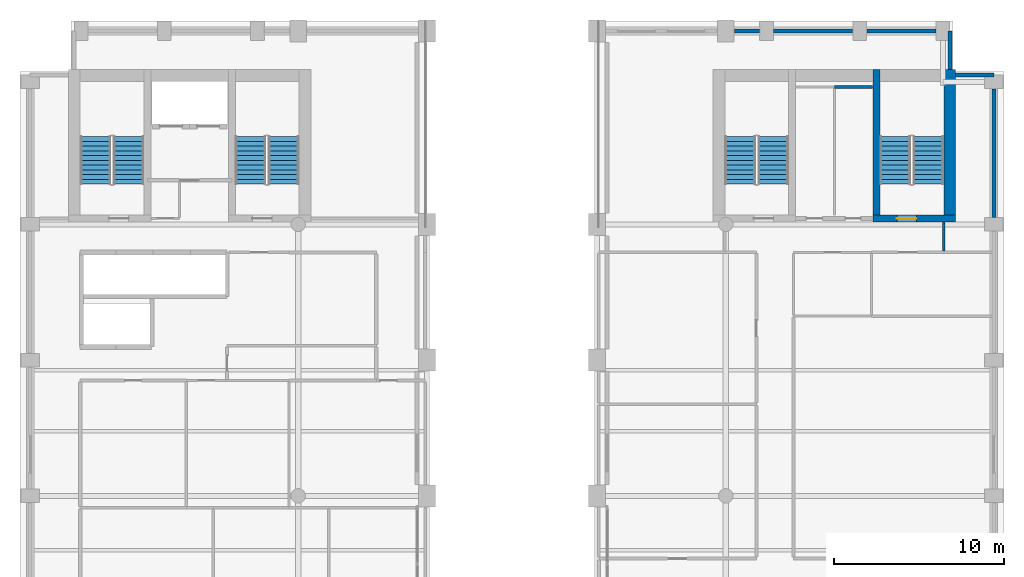
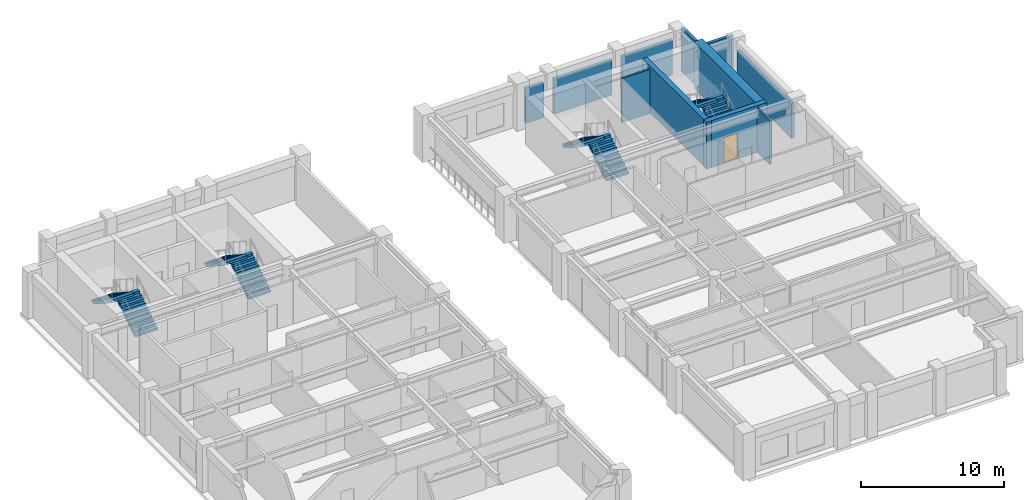
# One storey, part 8 of 10: 11 walls, 8 stair flights, 1 door, 1 opening, 4 elements without a shape of their own.
"""IFC4 building model written with IfcOpenShell, lengths in metres."""

from ifc_helpers import new_model, si_unit, direction, frame, frame_2d, origin, place, context, subcontext, project, spatial, polyline, rectangle, outline, extrude, material, layer, layer_set, type_object, element, fill, aggregate, save


model = new_model("IFC4")

# Units and contexts
model_context = context("Model", 3, precision=1e-05, world=origin(), true_north=direction((0.0, 1.0)))
body_context = subcontext(model_context, "Body", "Model", "MODEL_VIEW")
ifc_project = project(units=[si_unit("LENGTHUNIT", "METRE"), si_unit("AREAUNIT", "SQUARE_METRE"), si_unit("VOLUMEUNIT", "CUBIC_METRE"), si_unit("PLANEANGLEUNIT", "RADIAN"), si_unit("MASSUNIT", "GRAM", prefix="KILO")], contexts=[model_context])

# Site, building, storey
site_placement = place(None, origin())
site = spatial("IfcSite", under=ifc_project, at=site_placement, CompositionType="ELEMENT")
building_placement = place(site_placement, origin())
building = spatial("IfcBuilding", under=site, at=building_placement, Name="Sulina Concourse Tower", CompositionType="ELEMENT")
storey_placement = place(building_placement, frame((0.0, 0.0, 190.60009765625)))
storey = spatial("IfcBuildingStorey", under=building, at=storey_placement, Name="L46", CompositionType="ELEMENT", Elevation=190.60009765625)

# Walls
ifc_material_1 = material(Name="Precast concrete C50/60", Category="concrete")
ifc_layer_1 = layer(ifc_material_1, 0.239990234375)
ifc_layer_set_1 = layer_set([ifc_layer_1], Name="Precast concrete C50/60")
wall_type_1 = type_object("IfcWallType", Name="Crown Precast Masonry-Frame Facade Wall 240mm", PredefinedType="SOLIDWALL", material=ifc_layer_set_1)
wall_1_placement = place(storey_placement, frame((42.1201171875, 45.39990234375, 0.0), z_axis=(0.0, 0.0, 1.0), x_axis=(1.0, 0.0, 0.0)))
element("IfcWall", 1, at=wall_1_placement, inside=storey, type_object=wall_type_1, Name="L46 exterior precast wall N7", PredefinedType="SOLIDWALL", context=body_context, shape_type="SweptSolid", body=[
    extrude(rectangle(XDim=1.4599609375, YDim=0.239990234375, at=frame_2d((0.72998046875, 0.0))), origin(), (0.0, 0.0, 1.0), 3.0),
])
wall_2_placement = place(storey_placement, frame((44.419921875, 45.39990234375, 0.0), z_axis=(0.0, 0.0, 1.0), x_axis=(1.0, 0.0, 0.0)))
element("IfcWall", 2, at=wall_2_placement, inside=storey, type_object=wall_type_1, Name="L46 exterior precast wall N8", PredefinedType="SOLIDWALL", context=body_context, shape_type="SweptSolid", body=[
    extrude(rectangle(XDim=4.66015625, YDim=0.239990234375, at=frame_2d((2.330078125, 0.0))), origin(), (0.0, 0.0, 1.0), 3.0),
])
wall_3_placement = place(storey_placement, frame((49.919921875, 45.39990234375, 0.0), z_axis=(0.0, 0.0, 1.0), x_axis=(1.0, 0.0, 0.0)))
element("IfcWall", 3, at=wall_3_placement, inside=storey, type_object=wall_type_1, Name="L46 exterior precast wall N9", PredefinedType="SOLIDWALL", context=body_context, shape_type="SweptSolid", body=[
    extrude(rectangle(XDim=4.06005859375, YDim=0.239990234375, at=frame_2d((2.030029296875, 0.0))), origin(), (0.0, 0.0, 1.0), 3.0),
])
wall_4_placement = place(storey_placement, frame((57.39990234375, 41.97998046875, 0.0), z_axis=(0.0, 0.0, 1.0), x_axis=(0.0, -1.0, 0.0)))
element("IfcWall", 4, at=wall_4_placement, inside=storey, type_object=wall_type_1, Name="L46 exterior precast wall E5", PredefinedType="SOLIDWALL", context=body_context, shape_type="SweptSolid", body=[
    extrude(rectangle(XDim=7.56005859375, YDim=0.239990234375, at=frame_2d((3.780029296875, 0.0))), origin(), (0.0, 0.0, 1.0), 3.0),
])
wall_5_placement = place(storey_placement, frame((54.820068359375, 45.39990234375, 0.0), z_axis=(0.0, 0.0, 1.0), x_axis=(0.0, -1.0, 0.0)))
element("IfcWall", 5, at=wall_5_placement, inside=storey, type_object=wall_type_1, Name="L46 exterior precast wall CNE1", PredefinedType="SOLIDWALL", context=body_context, shape_type="SweptSolid", body=[
    extrude(rectangle(XDim=2.264892578125, YDim=0.239990234375, at=frame_2d((1.13232421875, 0.0))), origin(), (0.0, 0.0, 1.0), 3.75),
])
wall_6_placement = place(storey_placement, frame((55.155029296875, 42.820068359375, 0.0), z_axis=(0.0, 0.0, 1.0), x_axis=(1.0, 0.0, 0.0)))
element("IfcWall", 6, at=wall_6_placement, inside=storey, type_object=wall_type_1, Name="L46 exterior precast wall CNE2", PredefinedType="SOLIDWALL", context=body_context, shape_type="SweptSolid", body=[
    extrude(rectangle(XDim=2.244873046875, YDim=0.239990234375, at=frame_2d((1.12255859375, 0.0))), origin(), (0.0, 0.0, 1.0), 3.75),
])
ifc_material_2 = material(Name="Gypsum board on steel stud", Category="steel")
ifc_layer_2 = layer(ifc_material_2, 0.14990234375)
ifc_layer_set_2 = layer_set([ifc_layer_2], Name="Gypsum board on steel stud")
wall_type_2 = type_object("IfcWallType", Name="Inter-Tenancy Acoustic Partition 150mm", PredefinedType="PARTITIONING", material=ifc_layer_set_2)
wall_7_placement = place(storey_placement, frame((48.0, 42.10009765625, 0.0), z_axis=(0.0, 0.0, 1.0), x_axis=(1.0, 0.0, 0.0)))
element("IfcWall", 7, at=wall_7_placement, inside=storey, type_object=wall_type_2, Name="L46 interior partition 038", PredefinedType="PARTITIONING", context=body_context, shape_type="SweptSolid", body=[
    extrude(rectangle(XDim=2.25, YDim=0.14990234375, at=frame_2d((1.125, 0.0))), origin(), (0.0, 0.0, 1.0), 3.75),
])
wall_8_placement = place(storey_placement, frame((54.449951171875, 32.425048828125, 0.0), z_axis=(0.0, 0.0, 1.0), x_axis=(0.0, 1.0, 0.0)))
element("IfcWall", 8, at=wall_8_placement, inside=storey, type_object=wall_type_2, Name="L46 interior partition 072", PredefinedType="PARTITIONING", context=body_context, shape_type="SweptSolid", body=[
    extrude(rectangle(XDim=1.724853515625, YDim=0.14990234375, at=frame_2d((0.8623046875, 0.0))), origin(), (0.0, 0.0, 1.0), 3.75),
])

# Wall, opening, door
ifc_material_3 = material(Name="Concrete C60/75", Category="concrete")
ifc_layer_3 = layer(ifc_material_3, 0.39990234375)
ifc_layer_set_3 = layer_set([ifc_layer_3], Name="Concrete C60/75")
wall_type_3 = type_object("IfcWallType", Name="Protected Stair Core Shear Wall 400mm", PredefinedType="SHEAR", material=ifc_layer_set_3)
wall_9_placement = place(storey_placement, frame((50.2900390625, 34.35009765625, 0.0), z_axis=(0.0, 0.0, 1.0), x_axis=(1.0, 0.0, 0.0)))
wall_9 = element("IfcWall", 9, at=wall_9_placement, inside=storey, type_object=wall_type_3, Name="L46 east core shear wall CW-ES2", PredefinedType="SHEAR", context=body_context, shape_type="SweptSolid", body=[
    extrude(rectangle(XDim=4.85986328125, YDim=0.39990234375, at=frame_2d((2.429931640625, 0.0))), origin(), (0.0, 0.0, 1.0), 4.0),
])
opening_placement = place(wall_9_placement, frame((1.39990234375, 0.0, 0.0)))
opening = element("IfcOpeningElement", 10, at=opening_placement, cuts=wall_9, Name="Opening DR-60", PredefinedType="OPENING", context=body_context, shape_type="SweptSolid", body=[
    extrude(rectangle(XDim=1.14990234375, YDim=2.199951171875, at=frame_2d((0.574951171875, 1.10009765625))), frame((0.0, 0.2099609375, 0.0), z_axis=(0.0, -1.0, 0.0), x_axis=(1.0, 0.0, 0.0)), (0.0, 0.0, 1.0), 0.419921875),
])
ifc_material_4 = material(Name="Galvanised steel acoustic fire leaf", Category="steel")
ifc_layer_4 = layer(ifc_material_4, 0.054931640625)
ifc_layer_set_4 = layer_set([ifc_layer_4], Name="Galvanised steel acoustic fire leaf")
door_type = type_object("IfcDoorType", Name="Protected Exit Stair Fire Door 1150x2200", OperationType="NOTDEFINED", PredefinedType="DOOR", material=ifc_layer_set_4)
door_placement = place(opening_placement, origin())
door = element("IfcDoor", 11, at=door_placement, inside=storey, type_object=door_type, Name="L46 stair ST-4 south lobby fire door", OperationType="SINGLE_SWING_LEFT", OverallHeight=2.199951171875, OverallWidth=1.14990234375, PredefinedType="DOOR", context=body_context, shape_type="SweptSolid", body=[
    extrude(rectangle(XDim=1.14990234375, YDim=2.199951171875, at=frame_2d((0.574951171875, 1.10009765625))), frame((0.0, 0.02490234375, 0.0), z_axis=(0.0, -1.0, 0.0), x_axis=(1.0, 0.0, 0.0)), (0.0, 0.0, 1.0), 0.050048828125),
])
fill(opening, door)

# Walls
wall_10_placement = place(storey_placement, frame((50.489990234375, 34.14990234375, 0.0), z_axis=(0.0, 0.0, 1.0), x_axis=(0.0, 1.0, 0.0)))
element("IfcWall", 12, at=wall_10_placement, inside=storey, type_object=wall_type_3, Name="L46 east core shear wall SW-ST4", PredefinedType="SHEAR", context=body_context, shape_type="SweptSolid", body=[
    extrude(rectangle(XDim=8.97998046875, YDim=0.39990234375, at=frame_2d((4.489990234375, 0.0))), origin(), (0.0, 0.0, 1.0), 4.0),
])
ifc_material_5 = material(Name="Concrete C60/75", Category="concrete")
ifc_layer_5 = layer(ifc_material_5, 0.699951171875)
ifc_layer_set_5 = layer_set([ifc_layer_5], Name="Concrete C60/75")
wall_type_4 = type_object("IfcWallType", Name="Rear Core Shear Wall 700mm", PredefinedType="SHEAR", material=ifc_layer_set_5)
wall_11_placement = place(storey_placement, frame((54.800048828125, 34.14990234375, 0.0), z_axis=(0.0, 0.0, 1.0), x_axis=(0.0, 1.0, 0.0)))
element("IfcWall", 13, at=wall_11_placement, inside=storey, type_object=wall_type_4, Name="L46 east core shear wall CW-EE", PredefinedType="SHEAR", context=body_context, shape_type="SweptSolid", body=[
    extrude(rectangle(XDim=8.97998046875, YDim=0.699951171875, at=frame_2d((4.489990234375, 0.0))), origin(), (0.0, 0.0, 1.0), 4.0),
])

# Stair, stair flights
ifc_material_6 = material(Name="Concrete C50/60", Category="concrete")
stair_type_1 = type_object("IfcStairType", Name="Portal & Podium Core Exit Stair 1820mm", PredefinedType="HALF_TURN_STAIR", material=ifc_material_6)
stair_1_placement = place(storey_placement, origin())
stair_1 = element("IfcStair", 14, at=stair_1_placement, inside=storey, type_object=stair_type_1, Name="L46 ST-3", PredefinedType="HALF_TURN_STAIR")
ifc_material_7 = material(Name="Concrete C50/60", Category="concrete")
stair_flight_type_1 = type_object("IfcStairFlightType", Name="Portal & Podium Core Exit Stair 1820mm Flight", PredefinedType="STRAIGHT", material=ifc_material_7)
stair_flight_1_placement = place(storey_placement, frame((44.405029296875, 36.375, 0.0), z_axis=(0.0, 0.0, 1.0), x_axis=(0.0, 1.0, 0.0)))
stair_flight_1 = element("IfcStairFlight", 15, at=stair_flight_1_placement, type_object=stair_flight_type_1, Name="ST-3 flight 1", NumberOfRisers=11, NumberOfTreads=10, PredefinedType="STRAIGHT", RiserHeight=0.181818182, TreadLength=0.28, context=body_context, shape_type="SweptSolid", body=[
    extrude(outline(polyline([(0.0, 0.0), (0.0, 0.181884765625), (0.280029296875, 0.181884765625), (0.280029296875, 0.363525390625), (0.56005859375, 0.363525390625), (0.56005859375, 0.54541015625), (0.840087890625, 0.54541015625), (0.840087890625, 0.727294921875), (1.1201171875, 0.727294921875), (1.1201171875, 0.9091796875), (1.39990234375, 0.9091796875), (1.39990234375, 1.0908203125), (1.679931640625, 1.0908203125), (1.679931640625, 1.272705078125), (1.9599609375, 1.272705078125), (1.9599609375, 1.45458984375), (2.239990234375, 1.45458984375), (2.239990234375, 1.636474609375), (2.52001953125, 1.636474609375), (2.52001953125, 1.818115234375), (2.800048828125, 1.818115234375), (2.800048828125, 2.0), (2.800048828125, 1.603759765625), (0.330322265625, 0.0), (0.0, 0.0)])), frame((0.0, 0.89990234375, 0.0), z_axis=(0.0, -1.0, 0.0), x_axis=(1.0, 0.0, 0.0)), (0.0, 0.0, 1.0), 1.800048828125),
])
stair_flight_2_placement = place(storey_placement, frame((42.455078125, 39.175048828125, 2.0), z_axis=(0.0, 0.0, 1.0), x_axis=(0.0, -1.0, 0.0)))
stair_flight_2 = element("IfcStairFlight", 16, at=stair_flight_2_placement, type_object=stair_flight_type_1, Name="ST-3 flight 2", NumberOfRisers=11, NumberOfTreads=10, PredefinedType="STRAIGHT", RiserHeight=0.181818182, TreadLength=0.28, context=body_context, shape_type="SweptSolid", body=[
    extrude(outline(polyline([(0.0, 0.0), (0.0, 0.181884765625), (0.280029296875, 0.181884765625), (0.280029296875, 0.363525390625), (0.56005859375, 0.363525390625), (0.56005859375, 0.54541015625), (0.840087890625, 0.54541015625), (0.840087890625, 0.727294921875), (1.1201171875, 0.727294921875), (1.1201171875, 0.9091796875), (1.39990234375, 0.9091796875), (1.39990234375, 1.0908203125), (1.679931640625, 1.0908203125), (1.679931640625, 1.272705078125), (1.9599609375, 1.272705078125), (1.9599609375, 1.45458984375), (2.239990234375, 1.45458984375), (2.239990234375, 1.636474609375), (2.52001953125, 1.636474609375), (2.52001953125, 1.818115234375), (2.800048828125, 1.818115234375), (2.800048828125, 2.0), (2.800048828125, 1.603759765625), (0.330322265625, 0.0), (0.0, 0.0)])), frame((0.0, 0.89990234375, 0.0), z_axis=(0.0, -1.0, 0.0), x_axis=(1.0, 0.0, 0.0)), (0.0, 0.0, 1.0), 1.800048828125),
])
aggregate(stair_1, [stair_flight_1, stair_flight_2])

stair_2_placement = place(storey_placement, origin())
stair_2 = element("IfcStair", 17, at=stair_2_placement, inside=storey, type_object=stair_type_1, Name="L46 ST-4", PredefinedType="HALF_TURN_STAIR")
stair_flight_3_placement = place(storey_placement, frame((53.544921875, 36.375, 0.0), z_axis=(0.0, 0.0, 1.0), x_axis=(0.0, 1.0, 0.0)))
stair_flight_3 = element("IfcStairFlight", 18, at=stair_flight_3_placement, type_object=stair_flight_type_1, Name="ST-4 flight 1", NumberOfRisers=11, NumberOfTreads=10, PredefinedType="STRAIGHT", RiserHeight=0.181818182, TreadLength=0.28, context=body_context, shape_type="SweptSolid", body=[
    extrude(outline(polyline([(0.0, 0.0), (0.0, 0.181884765625), (0.280029296875, 0.181884765625), (0.280029296875, 0.363525390625), (0.56005859375, 0.363525390625), (0.56005859375, 0.54541015625), (0.840087890625, 0.54541015625), (0.840087890625, 0.727294921875), (1.1201171875, 0.727294921875), (1.1201171875, 0.9091796875), (1.39990234375, 0.9091796875), (1.39990234375, 1.0908203125), (1.679931640625, 1.0908203125), (1.679931640625, 1.272705078125), (1.9599609375, 1.272705078125), (1.9599609375, 1.45458984375), (2.239990234375, 1.45458984375), (2.239990234375, 1.636474609375), (2.52001953125, 1.636474609375), (2.52001953125, 1.818115234375), (2.800048828125, 1.818115234375), (2.800048828125, 2.0), (2.800048828125, 1.603759765625), (0.330322265625, 0.0), (0.0, 0.0)])), frame((0.0, 0.89990234375, 0.0), z_axis=(0.0, -1.0, 0.0), x_axis=(1.0, 0.0, 0.0)), (0.0, 0.0, 1.0), 1.800048828125),
])
stair_flight_4_placement = place(storey_placement, frame((51.594970703125, 39.175048828125, 2.0), z_axis=(0.0, 0.0, 1.0), x_axis=(0.0, -1.0, 0.0)))
stair_flight_4 = element("IfcStairFlight", 19, at=stair_flight_4_placement, type_object=stair_flight_type_1, Name="ST-4 flight 2", NumberOfRisers=11, NumberOfTreads=10, PredefinedType="STRAIGHT", RiserHeight=0.181818182, TreadLength=0.28, context=body_context, shape_type="SweptSolid", body=[
    extrude(outline(polyline([(0.0, 0.0), (0.0, 0.181884765625), (0.280029296875, 0.181884765625), (0.280029296875, 0.363525390625), (0.56005859375, 0.363525390625), (0.56005859375, 0.54541015625), (0.840087890625, 0.54541015625), (0.840087890625, 0.727294921875), (1.1201171875, 0.727294921875), (1.1201171875, 0.9091796875), (1.39990234375, 0.9091796875), (1.39990234375, 1.0908203125), (1.679931640625, 1.0908203125), (1.679931640625, 1.272705078125), (1.9599609375, 1.272705078125), (1.9599609375, 1.45458984375), (2.239990234375, 1.45458984375), (2.239990234375, 1.636474609375), (2.52001953125, 1.636474609375), (2.52001953125, 1.818115234375), (2.800048828125, 1.818115234375), (2.800048828125, 2.0), (2.800048828125, 1.603759765625), (0.330322265625, 0.0), (0.0, 0.0)])), frame((0.0, 0.89990234375, 0.0), z_axis=(0.0, -1.0, 0.0), x_axis=(1.0, 0.0, 0.0)), (0.0, 0.0, 1.0), 1.800048828125),
])
aggregate(stair_2, [stair_flight_3, stair_flight_4])

ifc_material_8 = material(Name="Concrete C50/60", Category="concrete")
stair_type_2 = type_object("IfcStairType", Name="Primary Core Dog-Leg Exit Stair 1800mm", PredefinedType="HALF_TURN_STAIR", material=ifc_material_8)
stair_3_placement = place(storey_placement, origin())
stair_3 = element("IfcStair", 20, at=stair_3_placement, inside=storey, type_object=stair_type_2, Name="L46 ST-1", PredefinedType="HALF_TURN_STAIR")
ifc_material_9 = material(Name="Concrete C50/60", Category="concrete")
stair_flight_type_2 = type_object("IfcStairFlightType", Name="Primary Core Dog-Leg Exit Stair 1800mm Flight", PredefinedType="STRAIGHT", material=ifc_material_9)
stair_flight_5_placement = place(storey_placement, frame((6.405029296875, 36.375, 0.0), z_axis=(0.0, 0.0, 1.0), x_axis=(0.0, 1.0, 0.0)))
stair_flight_5 = element("IfcStairFlight", 21, at=stair_flight_5_placement, type_object=stair_flight_type_2, Name="ST-1 flight 1", NumberOfRisers=11, NumberOfTreads=10, PredefinedType="STRAIGHT", RiserHeight=0.181818182, TreadLength=0.28, context=body_context, shape_type="SweptSolid", body=[
    extrude(outline(polyline([(0.0, 0.0), (0.0, 0.181884765625), (0.280029296875, 0.181884765625), (0.280029296875, 0.363525390625), (0.56005859375, 0.363525390625), (0.56005859375, 0.54541015625), (0.840087890625, 0.54541015625), (0.840087890625, 0.727294921875), (1.1201171875, 0.727294921875), (1.1201171875, 0.9091796875), (1.39990234375, 0.9091796875), (1.39990234375, 1.0908203125), (1.679931640625, 1.0908203125), (1.679931640625, 1.272705078125), (1.9599609375, 1.272705078125), (1.9599609375, 1.45458984375), (2.239990234375, 1.45458984375), (2.239990234375, 1.636474609375), (2.52001953125, 1.636474609375), (2.52001953125, 1.818115234375), (2.800048828125, 1.818115234375), (2.800048828125, 2.0), (2.800048828125, 1.603759765625), (0.330322265625, 0.0), (0.0, 0.0)])), frame((0.0, 0.89990234375, 0.0), z_axis=(0.0, -1.0, 0.0), x_axis=(1.0, 0.0, 0.0)), (0.0, 0.0, 1.0), 1.800048828125),
])
stair_flight_6_placement = place(storey_placement, frame((4.455078125, 39.175048828125, 2.0), z_axis=(0.0, 0.0, 1.0), x_axis=(0.0, -1.0, 0.0)))
stair_flight_6 = element("IfcStairFlight", 22, at=stair_flight_6_placement, type_object=stair_flight_type_2, Name="ST-1 flight 2", NumberOfRisers=11, NumberOfTreads=10, PredefinedType="STRAIGHT", RiserHeight=0.181818182, TreadLength=0.28, context=body_context, shape_type="SweptSolid", body=[
    extrude(outline(polyline([(0.0, 0.0), (0.0, 0.181884765625), (0.280029296875, 0.181884765625), (0.280029296875, 0.363525390625), (0.56005859375, 0.363525390625), (0.56005859375, 0.54541015625), (0.840087890625, 0.54541015625), (0.840087890625, 0.727294921875), (1.1201171875, 0.727294921875), (1.1201171875, 0.9091796875), (1.39990234375, 0.9091796875), (1.39990234375, 1.0908203125), (1.679931640625, 1.0908203125), (1.679931640625, 1.272705078125), (1.9599609375, 1.272705078125), (1.9599609375, 1.45458984375), (2.239990234375, 1.45458984375), (2.239990234375, 1.636474609375), (2.52001953125, 1.636474609375), (2.52001953125, 1.818115234375), (2.800048828125, 1.818115234375), (2.800048828125, 2.0), (2.800048828125, 1.603759765625), (0.330322265625, 0.0), (0.0, 0.0)])), frame((0.0, 0.89990234375, 0.0), z_axis=(0.0, -1.0, 0.0), x_axis=(1.0, 0.0, 0.0)), (0.0, 0.0, 1.0), 1.800048828125),
])
aggregate(stair_3, [stair_flight_5, stair_flight_6])

stair_4_placement = place(storey_placement, origin())
stair_4 = element("IfcStair", 23, at=stair_4_placement, inside=storey, type_object=stair_type_2, Name="L46 ST-2", PredefinedType="HALF_TURN_STAIR")
stair_flight_7_placement = place(storey_placement, frame((15.544921875, 36.375, 0.0), z_axis=(0.0, 0.0, 1.0), x_axis=(0.0, 1.0, 0.0)))
stair_flight_7 = element("IfcStairFlight", 24, at=stair_flight_7_placement, type_object=stair_flight_type_2, Name="ST-2 flight 1", NumberOfRisers=11, NumberOfTreads=10, PredefinedType="STRAIGHT", RiserHeight=0.181818182, TreadLength=0.28, context=body_context, shape_type="SweptSolid", body=[
    extrude(outline(polyline([(0.0, 0.0), (0.0, 0.181884765625), (0.280029296875, 0.181884765625), (0.280029296875, 0.363525390625), (0.56005859375, 0.363525390625), (0.56005859375, 0.54541015625), (0.840087890625, 0.54541015625), (0.840087890625, 0.727294921875), (1.1201171875, 0.727294921875), (1.1201171875, 0.9091796875), (1.39990234375, 0.9091796875), (1.39990234375, 1.0908203125), (1.679931640625, 1.0908203125), (1.679931640625, 1.272705078125), (1.9599609375, 1.272705078125), (1.9599609375, 1.45458984375), (2.239990234375, 1.45458984375), (2.239990234375, 1.636474609375), (2.52001953125, 1.636474609375), (2.52001953125, 1.818115234375), (2.800048828125, 1.818115234375), (2.800048828125, 2.0), (2.800048828125, 1.603759765625), (0.330322265625, 0.0), (0.0, 0.0)])), frame((0.0, 0.89990234375, 0.0), z_axis=(0.0, -1.0, 0.0), x_axis=(1.0, 0.0, 0.0)), (0.0, 0.0, 1.0), 1.800048828125),
])
stair_flight_8_placement = place(storey_placement, frame((13.594970703125, 39.175048828125, 2.0), z_axis=(0.0, 0.0, 1.0), x_axis=(0.0, -1.0, 0.0)))
stair_flight_8 = element("IfcStairFlight", 25, at=stair_flight_8_placement, type_object=stair_flight_type_2, Name="ST-2 flight 2", NumberOfRisers=11, NumberOfTreads=10, PredefinedType="STRAIGHT", RiserHeight=0.181818182, TreadLength=0.28, context=body_context, shape_type="SweptSolid", body=[
    extrude(outline(polyline([(0.0, 0.0), (0.0, 0.181884765625), (0.280029296875, 0.181884765625), (0.280029296875, 0.363525390625), (0.56005859375, 0.363525390625), (0.56005859375, 0.54541015625), (0.840087890625, 0.54541015625), (0.840087890625, 0.727294921875), (1.1201171875, 0.727294921875), (1.1201171875, 0.9091796875), (1.39990234375, 0.9091796875), (1.39990234375, 1.0908203125), (1.679931640625, 1.0908203125), (1.679931640625, 1.272705078125), (1.9599609375, 1.272705078125), (1.9599609375, 1.45458984375), (2.239990234375, 1.45458984375), (2.239990234375, 1.636474609375), (2.52001953125, 1.636474609375), (2.52001953125, 1.818115234375), (2.800048828125, 1.818115234375), (2.800048828125, 2.0), (2.800048828125, 1.603759765625), (0.330322265625, 0.0), (0.0, 0.0)])), frame((0.0, 0.89990234375, 0.0), z_axis=(0.0, -1.0, 0.0), x_axis=(1.0, 0.0, 0.0)), (0.0, 0.0, 1.0), 1.800048828125),
])
aggregate(stair_4, [stair_flight_7, stair_flight_8])

save(model, "model.ifc")
